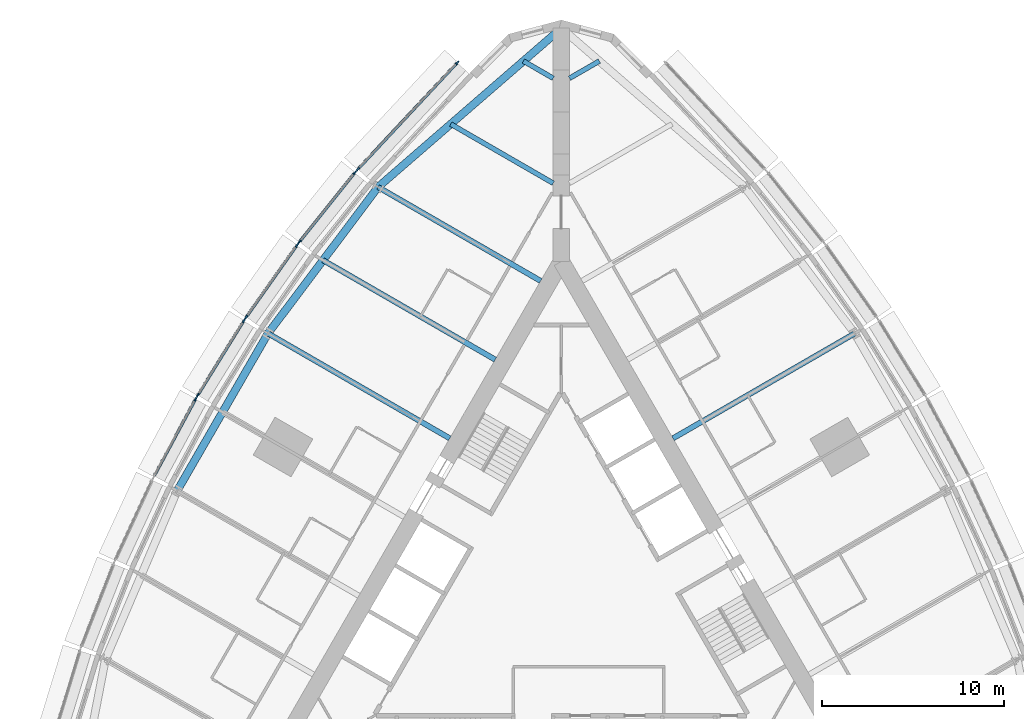
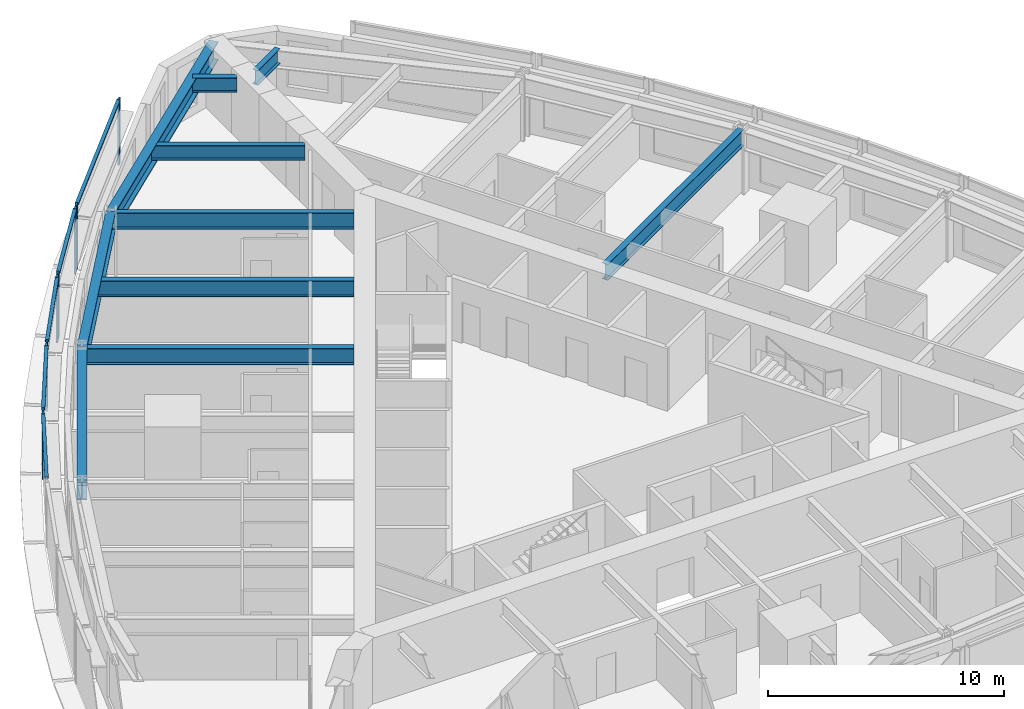
# One storey, part 4 of 14: 14 members, 10 beams, 5 elements without a shape of their own.
"""IFC4 building model written with IfcOpenShell, lengths in metres."""

from ifc_helpers import new_model, si_unit, direction, frame, origin, origin_2d, place, context, subcontext, project, spatial, rectangle, i_section, extrude, material, material_profile, profile_set, type_object, element, aggregate, save


model = new_model("IFC4")

# Units and contexts
model_context = context("Model", 3, precision=1e-05, world=origin(), true_north=direction((0.0, 1.0)))
body_context = subcontext(model_context, "Body", "Model", "MODEL_VIEW")
ifc_project = project(units=[si_unit("LENGTHUNIT", "METRE"), si_unit("AREAUNIT", "SQUARE_METRE"), si_unit("VOLUMEUNIT", "CUBIC_METRE"), si_unit("PLANEANGLEUNIT", "RADIAN"), si_unit("MASSUNIT", "GRAM", prefix="KILO")], contexts=[model_context])

# Site, building, storey
site_placement = place(None, origin())
site = spatial("IfcSite", under=ifc_project, at=site_placement, CompositionType="ELEMENT")
building_placement = place(site_placement, origin())
building = spatial("IfcBuilding", under=site, at=building_placement, Name="Trikona Tower", CompositionType="ELEMENT")
storey_placement = place(building_placement, frame((0.0, 0.0, 76.10009765625)))
storey = spatial("IfcBuildingStorey", under=building, at=storey_placement, Name="L19", CompositionType="ELEMENT", Elevation=76.10009765625)

# Curtain wall, members
ifc_material_1 = material(Name="Aluminium curtain wall system", Category="aluminium")
curtain_wall_type = type_object("IfcCurtainWallType", Name="Curtain wall DS1", PredefinedType="NOTDEFINED", material=ifc_material_1)
curtain_wall_1_placement = place(storey_placement, origin())
curtain_wall_1 = element("IfcCurtainWall", 1, at=curtain_wall_1_placement, inside=storey, type_object=curtain_wall_type, Name="Curtain wall DS1 L19", PredefinedType="NOTDEFINED")
ifc_material_2 = material(Name="Aluminium mullion, pale anodised", Category="aluminium")
ifc_material_profile_1 = material_profile(ifc_material_2, rectangle(XDim=0.080078125, YDim=0.219970703125, at=origin_2d()), Name="MUL-DS1")
ifc_profile_set_1 = profile_set([ifc_material_profile_1], Name="Aluminium mullion, pale anodised")
member_type_1 = type_object("IfcMemberType", Name="Mullion DS1 80x220", PredefinedType="MULLION", material=ifc_profile_set_1)
member_1_placement = place(storey_placement, frame((-5.72607421875, 29.98583984375, 0.0), z_axis=(0.0, 0.0, 1.0), x_axis=(0.731076639405, -0.682295351967, 0.0)))
member_1 = element("IfcMember", 2, at=member_1_placement, type_object=member_type_1, Name="CW-DS1 mullion 1", PredefinedType="MULLION", context=body_context, shape_type="SweptSolid", body=[
    extrude(rectangle(XDim=0.080078125, YDim=0.219970703125, at=origin_2d()), origin(), (0.0, 0.0, 1.0), 3.39990234375),
])
member_2_placement = place(storey_placement, frame((-11.192138671875, 24.129150390625, 0.0), z_axis=(0.0, 0.0, 1.0), x_axis=(0.731076639405, -0.682295351967, 0.0)))
member_2 = element("IfcMember", 3, at=member_2_placement, type_object=member_type_1, Name="CW-DS1 mullion 2", PredefinedType="MULLION", context=body_context, shape_type="SweptSolid", body=[
    extrude(rectangle(XDim=0.080078125, YDim=0.219970703125, at=origin_2d()), origin(), (0.0, 0.0, 1.0), 3.39990234375),
])

curtain_wall_2_placement = place(storey_placement, origin())
curtain_wall_2 = element("IfcCurtainWall", 4, at=curtain_wall_2_placement, inside=storey, type_object=curtain_wall_type, Name="Curtain wall DS1 L19", PredefinedType="NOTDEFINED")
member_3_placement = place(storey_placement, frame((-11.36767578125, 23.926025390625, 0.0), z_axis=(0.0, 0.0, 1.0), x_axis=(0.780937959679, -0.624608599951, 0.0)))
member_3 = element("IfcMember", 5, at=member_3_placement, type_object=member_type_1, Name="CW-DS1 mullion 1", PredefinedType="MULLION", context=body_context, shape_type="SweptSolid", body=[
    extrude(rectangle(XDim=0.080078125, YDim=0.219970703125, at=origin_2d()), origin(), (0.0, 0.0, 1.0), 3.39990234375),
])
member_4_placement = place(storey_placement, frame((-14.40185546875, 20.13232421875, 0.0), z_axis=(0.0, 0.0, 1.0), x_axis=(0.780937959679, -0.624608599951, 0.0)))
member_4 = element("IfcMember", 6, at=member_4_placement, type_object=member_type_1, Name="CW-DS1 mullion 2", PredefinedType="MULLION", context=body_context, shape_type="SweptSolid", body=[
    extrude(rectangle(XDim=0.080078125, YDim=0.219970703125, at=origin_2d()), origin(), (0.0, 0.0, 1.0), 3.39990234375),
])

curtain_wall_3_placement = place(storey_placement, origin())
curtain_wall_3 = element("IfcCurtainWall", 7, at=curtain_wall_3_placement, inside=storey, type_object=curtain_wall_type, Name="Curtain wall DS1 L19", PredefinedType="NOTDEFINED")
member_5_placement = place(storey_placement, frame((-14.554443359375, 19.929443359375, 0.0), z_axis=(0.0, 0.0, 1.0), x_axis=(0.816985393055, -0.576658362928, 0.0)))
member_5 = element("IfcMember", 8, at=member_5_placement, type_object=member_type_1, Name="CW-DS1 mullion 1", PredefinedType="MULLION", context=body_context, shape_type="SweptSolid", body=[
    extrude(rectangle(XDim=0.080078125, YDim=0.219970703125, at=origin_2d()), origin(), (0.0, 0.0, 1.0), 3.39990234375),
])
member_6_placement = place(storey_placement, frame((-17.33447265625, 15.990966796875, 0.0), z_axis=(0.0, 0.0, 1.0), x_axis=(0.816985393055, -0.576658362928, 0.0)))
member_6 = element("IfcMember", 9, at=member_6_placement, type_object=member_type_1, Name="CW-DS1 mullion 2", PredefinedType="MULLION", context=body_context, shape_type="SweptSolid", body=[
    extrude(rectangle(XDim=0.080078125, YDim=0.219970703125, at=origin_2d()), origin(), (0.0, 0.0, 1.0), 3.39990234375),
])

curtain_wall_4_placement = place(storey_placement, origin())
curtain_wall_4 = element("IfcCurtainWall", 10, at=curtain_wall_4_placement, inside=storey, type_object=curtain_wall_type, Name="Curtain wall DS1 L19", PredefinedType="NOTDEFINED")
member_7_placement = place(storey_placement, frame((-17.474853515625, 15.77880859375, 0.0), z_axis=(0.0, 0.0, 1.0), x_axis=(0.850410468941, -0.526119790842, 0.0)))
member_7 = element("IfcMember", 11, at=member_7_placement, type_object=member_type_1, Name="CW-DS1 mullion 1", PredefinedType="MULLION", context=body_context, shape_type="SweptSolid", body=[
    extrude(rectangle(XDim=0.080078125, YDim=0.219970703125, at=origin_2d()), origin(), (0.0, 0.0, 1.0), 3.39990234375),
])
member_8_placement = place(storey_placement, frame((-20.00146484375, 11.69482421875, 0.0), z_axis=(0.0, 0.0, 1.0), x_axis=(0.850410468941, -0.526119790842, 0.0)))
member_8 = element("IfcMember", 12, at=member_8_placement, type_object=member_type_1, Name="CW-DS1 mullion 2", PredefinedType="MULLION", context=body_context, shape_type="SweptSolid", body=[
    extrude(rectangle(XDim=0.080078125, YDim=0.219970703125, at=origin_2d()), origin(), (0.0, 0.0, 1.0), 3.39990234375),
])

# Curtain wall, member
curtain_wall_5_placement = place(storey_placement, origin())
curtain_wall_5 = element("IfcCurtainWall", 13, at=curtain_wall_5_placement, inside=storey, type_object=curtain_wall_type, Name="Curtain wall DS1 L19", PredefinedType="NOTDEFINED")
member_9_placement = place(storey_placement, frame((-20.128662109375, 11.474365234375, 0.0), z_axis=(0.0, 0.0, 1.0), x_axis=(0.880843080975, -0.473408350896, 0.0)))
member_9 = element("IfcMember", 14, at=member_9_placement, type_object=member_type_1, Name="CW-DS1 mullion 1", PredefinedType="MULLION", context=body_context, shape_type="SweptSolid", body=[
    extrude(rectangle(XDim=0.080078125, YDim=0.219970703125, at=origin_2d()), origin(), (0.0, 0.0, 1.0), 3.39990234375),
])

# Beams
ifc_material_3 = material(Name="Steel ASTM A992 Grade 50", Category="steel")
ifc_material_profile_2 = material_profile(ifc_material_3, i_section(OverallWidth=0.2666015625, OverallDepth=0.76953125, WebThickness=0.015625, FlangeThickness=0.025390625, at=origin_2d()), Name="W30X132")
ifc_profile_set_2 = profile_set([ifc_material_profile_2], Name="Steel ASTM A992 Grade 50")
beam_type_1 = type_object("IfcBeamType", Name="Steel beam W30x132 (wedge)", PredefinedType="BEAM", material=ifc_profile_set_2)
for number, where, z_axis, x_axis, name in (
    (15, (0.449951171875, 29.127197265625, 2.85009765625), (0.866009237431, 0.5000279999, 0.0), (-0.5000279999, 0.866009237431, 0.0), "Floor beam L20 F2 u25"),
    (16, (-0.449951171875, 29.127197265625, 2.85009765625), (-0.866009237431, 0.5000279999, 0.0), (-0.5000279999, -0.866009237431, 0.0), "Floor beam L20 F3 u-25"),
):
    element("IfcBeam", number, at=place(storey_placement, frame(where, z_axis=z_axis, x_axis=x_axis)), inside=storey, type_object=beam_type_1, Name=name, PredefinedType="BEAM", context=body_context, shape_type="SweptSolid", body=[
        extrude(i_section(OverallWidth=0.2666015625, OverallDepth=0.76953125, WebThickness=0.015625, FlangeThickness=0.025390625, at=origin_2d()), origin(), (0.0, 0.0, 1.0), 1.890625),
    ])
beam_1_placement = place(storey_placement, frame((-0.449951171875, 23.353759765625, 2.85009765625), z_axis=(-0.866022504693, 0.50000502134, 0.0), x_axis=(-0.50000502134, -0.866022504693, 0.0)))
element("IfcBeam", 17, at=beam_1_placement, inside=storey, type_object=beam_type_1, Name="Floor beam L20 F3 u-20", PredefinedType="BEAM", context=body_context, shape_type="SweptSolid", body=[
    extrude(i_section(OverallWidth=0.2666015625, OverallDepth=0.76953125, WebThickness=0.015625, FlangeThickness=0.025390625, at=origin_2d()), origin(), (0.0, 0.0, 1.0), 6.5068359375),
])
ifc_material_4 = material(Name="Steel ASTM A992 Grade 50", Category="steel")
ifc_material_profile_3 = material_profile(ifc_material_4, i_section(OverallWidth=0.2919921875, OverallDepth=0.845703125, WebThickness=0.015380859375, FlangeThickness=0.0244140625, at=origin_2d()), Name="W33X141")
ifc_profile_set_3 = profile_set([ifc_material_profile_3], Name="Steel ASTM A992 Grade 50")
beam_type_2 = type_object("IfcBeamType", Name="Steel beam W33x141 (radial typ)", PredefinedType="BEAM", material=ifc_profile_set_3)
beam_2_placement = place(storey_placement, frame((6.1396484375, 9.318359375, 2.81201171875), z_axis=(0.866029923217, 0.499992172032, 0.0), x_axis=(-0.499992172032, 0.866029923217, 0.0)))
element("IfcBeam", 18, at=beam_2_placement, inside=storey, type_object=beam_type_2, Name="Floor beam L20 F2 u5", PredefinedType="BEAM", context=body_context, shape_type="SweptSolid", body=[
    extrude(i_section(OverallWidth=0.2919921875, OverallDepth=0.845703125, WebThickness=0.015380859375, FlangeThickness=0.0244140625, at=origin_2d()), origin(), (0.0, 0.0, 1.0), 11.544189453125),
])
beam_3_placement = place(storey_placement, frame((-1.1396484375, 17.978515625, 2.81201171875), z_axis=(-0.866030471684, 0.499991222037, 0.0), x_axis=(-0.499991222037, -0.866030471684, 0.0)))
element("IfcBeam", 19, at=beam_3_placement, inside=storey, type_object=beam_type_2, Name="Floor beam L20 F3 u-15", PredefinedType="BEAM", context=body_context, shape_type="SweptSolid", body=[
    extrude(i_section(OverallWidth=0.2919921875, OverallDepth=0.845703125, WebThickness=0.015380859375, FlangeThickness=0.0244140625, at=origin_2d()), origin(), (0.0, 0.0, 1.0), 10.326904296875),
])
beam_4_placement = place(storey_placement, frame((-3.6396484375, 13.6484375, 2.81201171875), z_axis=(-0.866025348605, 0.500000095573, 0.0), x_axis=(-0.500000095573, -0.866025348605, 0.0)))
element("IfcBeam", 20, at=beam_4_placement, inside=storey, type_object=beam_type_2, Name="Floor beam L20 F3 u-10", PredefinedType="BEAM", context=body_context, shape_type="SweptSolid", body=[
    extrude(i_section(OverallWidth=0.2919921875, OverallDepth=0.845703125, WebThickness=0.015380859375, FlangeThickness=0.0244140625, at=origin_2d()), origin(), (0.0, 0.0, 1.0), 10.935546875),
])
beam_5_placement = place(storey_placement, frame((-6.1396484375, 9.318359375, 2.81201171875), z_axis=(-0.866029923217, 0.499992172032, 0.0), x_axis=(-0.499992172032, -0.866029923217, 0.0)))
element("IfcBeam", 21, at=beam_5_placement, inside=storey, type_object=beam_type_2, Name="Floor beam L20 F3 u-5", PredefinedType="BEAM", context=body_context, shape_type="SweptSolid", body=[
    extrude(i_section(OverallWidth=0.2919921875, OverallDepth=0.845703125, WebThickness=0.015380859375, FlangeThickness=0.0244140625, at=origin_2d()), origin(), (0.0, 0.0, 1.0), 11.544189453125),
])
ifc_material_5 = material(Name="Steel ASTM A992 Grade 50", Category="steel")
ifc_material_profile_4 = material_profile(ifc_material_5, i_section(OverallWidth=0.424072265625, OverallDepth=0.947509765625, WebThickness=0.02392578125, FlangeThickness=0.042724609375, at=origin_2d()), Name="W36X302")
ifc_profile_set_4 = profile_set([ifc_material_profile_4], Name="Steel ASTM A992 Grade 50")
beam_type_3 = type_object("IfcBeamType", Name="Steel beam W36x302 (spandrel)", PredefinedType="SPANDREL", material=ifc_profile_set_4)
beam_6_placement = place(storey_placement, frame((0.0, 31.881591796875, 2.76123046875), z_axis=(-0.755646822726, -0.654979296851, 0.0), x_axis=(0.654979296851, -0.755646822726, 0.0)))
element("IfcBeam", 22, at=beam_6_placement, inside=storey, type_object=beam_type_3, Name="Spandrel beam L20 F3-1", PredefinedType="SPANDREL", context=body_context, shape_type="SweptSolid", body=[
    extrude(i_section(OverallWidth=0.424072265625, OverallDepth=0.947509765625, WebThickness=0.02392578125, FlangeThickness=0.042724609375, at=origin_2d()), origin(), (0.0, 0.0, 1.0), 13.343505859375),
])
beam_7_placement = place(storey_placement, frame((-10.0830078125, 23.141845703125, 2.76123046875), z_axis=(-0.600988344191, -0.799257787042, 0.0), x_axis=(0.799257787042, -0.600988344191, 0.0)))
element("IfcBeam", 23, at=beam_7_placement, inside=storey, type_object=beam_type_3, Name="Spandrel beam L20 F3-2", PredefinedType="SPANDREL", context=body_context, shape_type="SweptSolid", body=[
    extrude(i_section(OverallWidth=0.424072265625, OverallDepth=0.947509765625, WebThickness=0.02392578125, FlangeThickness=0.042724609375, at=origin_2d()), origin(), (0.0, 0.0, 1.0), 10.07373046875),
])
beam_8_placement = place(storey_placement, frame((-16.13720703125, 15.09033203125, 2.76123046875), z_axis=(-0.500004234368, -0.866022959057, 0.0), x_axis=(0.866022959057, -0.500004234368, 0.0)))
element("IfcBeam", 24, at=beam_8_placement, inside=storey, type_object=beam_type_3, Name="Spandrel beam L20 F3-3", PredefinedType="SPANDREL", context=body_context, shape_type="SweptSolid", body=[
    extrude(i_section(OverallWidth=0.424072265625, OverallDepth=0.947509765625, WebThickness=0.02392578125, FlangeThickness=0.042724609375, at=origin_2d()), origin(), (0.0, 0.0, 1.0), 10.0),
])

# Member
ifc_material_6 = material(Name="Aluminium transom, pale anodised", Category="aluminium")
ifc_material_profile_5 = material_profile(ifc_material_6, rectangle(XDim=0.159912109375, YDim=0.080078125, at=origin_2d()), Name="TRN-DS1")
ifc_profile_set_5 = profile_set([ifc_material_profile_5], Name="Aluminium transom, pale anodised")
member_type_2 = type_object("IfcMemberType", Name="Transom DS1 80x160", PredefinedType="USERDEFINED", material=ifc_profile_set_5)
member_10_placement = place(storey_placement, frame((-5.75341796875, 29.95654296875, 3.35986328125), z_axis=(-0.682290830921, -0.731080858758, 0.0), x_axis=(0.731080858758, -0.682290830921, 0.0)))
member_10 = element("IfcMember", 25, at=member_10_placement, type_object=member_type_2, Name="CW-DS1 transom 1.1", ObjectType="TRANSOM", PredefinedType="USERDEFINED", context=body_context, shape_type="SweptSolid", body=[
    extrude(rectangle(XDim=0.159912109375, YDim=0.080078125, at=origin_2d()), origin(), (0.0, 0.0, 1.0), 7.93115234375),
])

aggregate(curtain_wall_1, [member_1, member_2, member_10])

member_11_placement = place(storey_placement, frame((-11.392822265625, 23.894775390625, 3.35986328125), z_axis=(-0.624589103832, -0.780953552636, 0.0), x_axis=(0.780953552636, -0.624589103832, 0.0)))
member_11 = element("IfcMember", 26, at=member_11_placement, type_object=member_type_2, Name="CW-DS1 transom 1.1", ObjectType="TRANSOM", PredefinedType="USERDEFINED", context=body_context, shape_type="SweptSolid", body=[
    extrude(rectangle(XDim=0.159912109375, YDim=0.080078125, at=origin_2d()), origin(), (0.0, 0.0, 1.0), 4.77783203125),
])

aggregate(curtain_wall_2, [member_3, member_4, member_11])

member_12_placement = place(storey_placement, frame((-14.57763671875, 19.896728515625, 3.35986328125), z_axis=(-0.57664478015, -0.816994980111, 0.0), x_axis=(0.816994980111, -0.57664478015, 0.0)))
member_12 = element("IfcMember", 27, at=member_12_placement, type_object=member_type_2, Name="CW-DS1 transom 1.1", ObjectType="TRANSOM", PredefinedType="USERDEFINED", context=body_context, shape_type="SweptSolid", body=[
    extrude(rectangle(XDim=0.159912109375, YDim=0.080078125, at=origin_2d()), origin(), (0.0, 0.0, 1.0), 4.740478515625),
])

aggregate(curtain_wall_3, [member_5, member_6, member_12])

member_13_placement = place(storey_placement, frame((-17.495849609375, 15.744873046875, 3.35986328125), z_axis=(-0.526080502257, -0.850434774186, 0.0), x_axis=(0.850434774186, -0.526080502257, 0.0)))
member_13 = element("IfcMember", 28, at=member_13_placement, type_object=member_type_2, Name="CW-DS1 transom 1.1", ObjectType="TRANSOM", PredefinedType="USERDEFINED", context=body_context, shape_type="SweptSolid", body=[
    extrude(rectangle(XDim=0.159912109375, YDim=0.080078125, at=origin_2d()), origin(), (0.0, 0.0, 1.0), 4.722412109375),
])

aggregate(curtain_wall_4, [member_7, member_8, member_13])

member_14_placement = place(storey_placement, frame((-20.147705078125, 11.43896484375, 3.35986328125), z_axis=(-0.473427569755, -0.880832751546, 0.0), x_axis=(0.880832751546, -0.473427569755, 0.0)))
member_14 = element("IfcMember", 29, at=member_14_placement, type_object=member_type_2, Name="CW-DS1 transom 1.1", ObjectType="TRANSOM", PredefinedType="USERDEFINED", context=body_context, shape_type="SweptSolid", body=[
    extrude(rectangle(XDim=0.159912109375, YDim=0.080078125, at=origin_2d()), origin(), (0.0, 0.0, 1.0), 4.72216796875),
])

aggregate(curtain_wall_5, [member_9, member_14])

save(model, "model.ifc")
